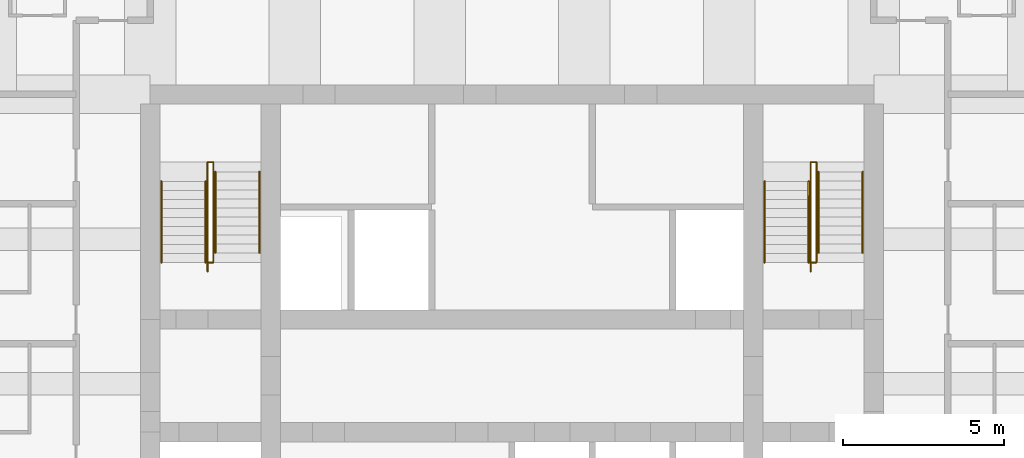
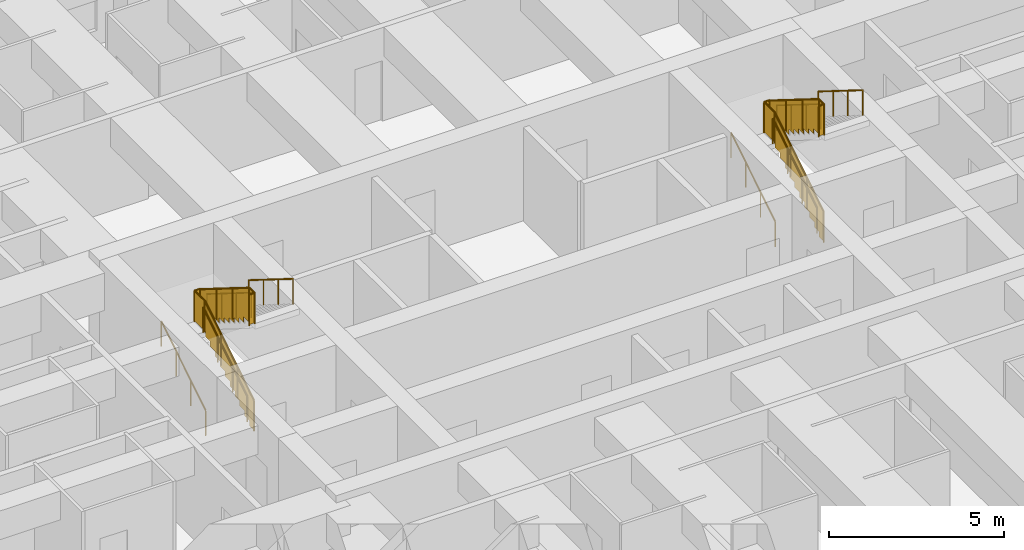
# One storey, part 8 of 8: 12 railings.
"""IFC4 building model written with IfcOpenShell, lengths in metres."""

from ifc_helpers import new_model, si_unit, direction, frame, origin, origin_2d, place, context, subcontext, project, spatial, polyline, circle, outline, extrude, material, type_object, element, save


model = new_model("IFC4")

# Units and contexts
model_context = context("Model", 3, precision=1e-05, world=origin(), true_north=direction((0.0, 1.0)))
body_context = subcontext(model_context, "Body", "Model", "MODEL_VIEW")
ifc_project = project(units=[si_unit("LENGTHUNIT", "METRE"), si_unit("AREAUNIT", "SQUARE_METRE"), si_unit("VOLUMEUNIT", "CUBIC_METRE"), si_unit("PLANEANGLEUNIT", "RADIAN"), si_unit("MASSUNIT", "GRAM", prefix="KILO")], contexts=[model_context])

# Site, building, storey
site_placement = place(None, origin())
site = spatial("IfcSite", under=ifc_project, at=site_placement, CompositionType="ELEMENT")
building_placement = place(site_placement, origin())
building = spatial("IfcBuilding", under=site, at=building_placement, Name="Kilele Tower Hotel", CompositionType="ELEMENT")
storey_placement = place(building_placement, frame((0.0, 0.0, 100.39990234375)))
storey = spatial("IfcBuildingStorey", under=building, at=storey_placement, Name="L25", CompositionType="ELEMENT", Elevation=100.39990234375)

# Railings
ifc_material_1 = material(Name="Steel handrail", Category="steel")
railing_type_1 = type_object("IfcRailingType", Name="Handrail 900", PredefinedType="HANDRAIL", material=ifc_material_1)
for number, where, name in (
    (1, (13.85009765625, 21.77490234375, 0.175048828125), "Handrail ST1 flight 1"),
    (2, (15.22509765625, 21.77490234375, 0.175048828125), "Handrail ST1 flight 1"),
):
    element("IfcRailing", number, at=place(storey_placement, frame(where)), inside=storey, type_object=railing_type_1, Name=name, PredefinedType="HANDRAIL", context=body_context, shape_type="SweptSolid", body=[
        extrude(circle(Radius=0.02490234375, at=origin_2d()), frame((0.0, 0.0, 0.875), z_axis=(0.0, 0.848007534815, 0.529984170421), x_axis=(-1.0, 0.0, 0.0)), (0.0, 0.0, 1.0), 2.9716796875),
        extrude(circle(Radius=0.02001953125, at=origin_2d()), origin(), (0.0, 0.0, 1.0), 0.849853515625),
        extrude(circle(Radius=0.02001953125, at=origin_2d()), frame((0.0, 0.840087890625, 0.52490234375)), (0.0, 0.0, 1.0), 0.849853515625),
        extrude(circle(Radius=0.02001953125, at=origin_2d()), frame((0.0, 1.679931640625, 1.050048828125)), (0.0, 0.0, 1.0), 0.849853515625),
        extrude(circle(Radius=0.02001953125, at=origin_2d()), frame((0.0, 2.52001953125, 1.574951171875)), (0.0, 0.0, 1.0), 0.849853515625),
    ])
for number, where, name in (
    (3, (15.52490234375, 24.594970703125, 1.925048828125), "Handrail ST1 flight 2"),
    (4, (16.89990234375, 24.594970703125, 1.925048828125), "Handrail ST1 flight 2"),
):
    element("IfcRailing", number, at=place(storey_placement, frame(where)), inside=storey, type_object=railing_type_1, Name=name, PredefinedType="HANDRAIL", context=body_context, shape_type="SweptSolid", body=[
        extrude(circle(Radius=0.02490234375, at=origin_2d()), frame((0.0, 0.0, 0.875), z_axis=(0.0, -0.848007534815, 0.529984170421), x_axis=(1.0, 0.0, 0.0)), (0.0, 0.0, 1.0), 2.9716796875),
        extrude(circle(Radius=0.02001953125, at=origin_2d()), origin(), (0.0, 0.0, 1.0), 0.849853515625),
        extrude(circle(Radius=0.02001953125, at=origin_2d()), frame((0.0, -0.840087890625, 0.52490234375)), (0.0, 0.0, 1.0), 0.849853515625),
        extrude(circle(Radius=0.02001953125, at=origin_2d()), frame((0.0, -1.679931640625, 1.050048828125)), (0.0, 0.0, 1.0), 0.849853515625),
        extrude(circle(Radius=0.02001953125, at=origin_2d()), frame((0.0, -2.52001953125, 1.574951171875)), (0.0, 0.0, 1.0), 0.849853515625),
    ])
for number, where, name in (
    (5, (32.60009765625, 21.77490234375, 0.175048828125), "Handrail ST2 flight 1"),
    (6, (33.97509765625, 21.77490234375, 0.175048828125), "Handrail ST2 flight 1"),
):
    element("IfcRailing", number, at=place(storey_placement, frame(where)), inside=storey, type_object=railing_type_1, Name=name, PredefinedType="HANDRAIL", context=body_context, shape_type="SweptSolid", body=[
        extrude(circle(Radius=0.02490234375, at=origin_2d()), frame((0.0, 0.0, 0.875), z_axis=(0.0, 0.848007534815, 0.529984170421), x_axis=(-1.0, 0.0, 0.0)), (0.0, 0.0, 1.0), 2.9716796875),
        extrude(circle(Radius=0.02001953125, at=origin_2d()), origin(), (0.0, 0.0, 1.0), 0.849853515625),
        extrude(circle(Radius=0.02001953125, at=origin_2d()), frame((0.0, 0.840087890625, 0.52490234375)), (0.0, 0.0, 1.0), 0.849853515625),
        extrude(circle(Radius=0.02001953125, at=origin_2d()), frame((0.0, 1.679931640625, 1.050048828125)), (0.0, 0.0, 1.0), 0.849853515625),
        extrude(circle(Radius=0.02001953125, at=origin_2d()), frame((0.0, 2.52001953125, 1.574951171875)), (0.0, 0.0, 1.0), 0.849853515625),
    ])
for number, where, name in (
    (7, (34.27490234375, 24.594970703125, 1.925048828125), "Handrail ST2 flight 2"),
    (8, (35.64990234375, 24.594970703125, 1.925048828125), "Handrail ST2 flight 2"),
):
    element("IfcRailing", number, at=place(storey_placement, frame(where)), inside=storey, type_object=railing_type_1, Name=name, PredefinedType="HANDRAIL", context=body_context, shape_type="SweptSolid", body=[
        extrude(circle(Radius=0.02490234375, at=origin_2d()), frame((0.0, 0.0, 0.875), z_axis=(0.0, -0.848007534815, 0.529984170421), x_axis=(1.0, 0.0, 0.0)), (0.0, 0.0, 1.0), 2.9716796875),
        extrude(circle(Radius=0.02001953125, at=origin_2d()), origin(), (0.0, 0.0, 1.0), 0.849853515625),
        extrude(circle(Radius=0.02001953125, at=origin_2d()), frame((0.0, -0.840087890625, 0.52490234375)), (0.0, 0.0, 1.0), 0.849853515625),
        extrude(circle(Radius=0.02001953125, at=origin_2d()), frame((0.0, -1.679931640625, 1.050048828125)), (0.0, 0.0, 1.0), 0.849853515625),
        extrude(circle(Radius=0.02001953125, at=origin_2d()), frame((0.0, -2.52001953125, 1.574951171875)), (0.0, 0.0, 1.0), 0.849853515625),
    ])
ifc_material_2 = material(Name="Steel guard", Category="steel")
railing_type_2 = type_object("IfcRailingType", Name="Stair guard 1100", PredefinedType="GUARDRAIL", material=ifc_material_2)
railing_1_placement = place(storey_placement, frame((15.284912109375, 21.4951171875, 0.0)))
element("IfcRailing", 9, at=railing_1_placement, inside=storey, type_object=railing_type_2, Name="Stair well guard ST1 flight 1", PredefinedType="GUARDRAIL", context=body_context, shape_type="SweptSolid", body=[
    extrude(circle(Radius=0.02490234375, at=origin_2d()), frame((0.0, 0.0, 1.0751953125), z_axis=(0.0, 0.847981687118, 0.530025526095), x_axis=(-1.0, 0.0, 0.0)), (0.0, 0.0, 1.0), 3.3017578125),
    extrude(circle(Radius=0.02490234375, at=origin_2d()), frame((0.0, 2.7998046875, 2.8251953125), z_axis=(0.0, 1.0, 0.0), x_axis=(-1.0, 0.0, 0.0)), (0.0, 0.0, 1.0), 0.60009765625),
    extrude(circle(Radius=0.02490234375, at=origin_2d()), frame((0.0, 3.39990234375, 2.8251953125), z_axis=(1.0, 0.0, 0.0), x_axis=(0.0, 1.0, 0.0)), (0.0, 0.0, 1.0), 0.18017578125),
    extrude(circle(Radius=0.02490234375, at=origin_2d()), origin(), (0.0, 0.0, 1.0), 1.050048828125),
    extrude(circle(Radius=0.02490234375, at=origin_2d()), frame((0.0, 0.933349609375, 0.583251953125)), (0.0, 0.0, 1.0), 1.050048828125),
    extrude(circle(Radius=0.02490234375, at=origin_2d()), frame((0.0, 1.866455078125, 1.166748046875)), (0.0, 0.0, 1.0), 1.050048828125),
    extrude(circle(Radius=0.02490234375, at=origin_2d()), frame((0.0, 2.7998046875, 1.75)), (0.0, 0.0, 1.0), 1.050048828125),
    extrude(circle(Radius=0.02490234375, at=origin_2d()), frame((0.0, 3.39990234375, 1.75)), (0.0, 0.0, 1.0), 1.050048828125),
    extrude(circle(Radius=0.02490234375, at=origin_2d()), frame((0.18017578125, 3.39990234375, 1.75)), (0.0, 0.0, 1.0), 1.050048828125),
    extrude(outline(polyline([(0.012451171875, 0.030029296875), (0.25, 0.030029296875), (0.25, 0.205078125), (0.530029296875, 0.205078125), (0.530029296875, 0.380126953125), (0.809814453125, 0.380126953125), (0.809814453125, 0.554931640625), (1.08984375, 0.554931640625), (1.08984375, 0.72998046875), (1.369873046875, 0.72998046875), (1.369873046875, 0.905029296875), (1.64990234375, 0.905029296875), (1.64990234375, 1.080078125), (1.929931640625, 1.080078125), (1.929931640625, 1.255126953125), (2.209716796875, 1.255126953125), (2.209716796875, 1.429931640625), (2.48974609375, 1.429931640625), (2.48974609375, 1.60498046875), (2.769775390625, 1.60498046875), (2.769775390625, 1.780029296875), (2.787353515625, 1.780029296875), (2.787353515625, 2.787841796875), (0.012451171875, 1.053466796875), (0.012451171875, 0.030029296875)])), frame((-0.005859375, 0.0, 0.0), z_axis=(1.0, 0.0, 0.0), x_axis=(0.0, 1.0, 0.0)), (0.0, 0.0, 1.0), 0.011962890625),
    extrude(outline(polyline([(0.012451171875, 0.030029296875), (0.587646484375, 0.030029296875), (0.587646484375, 1.050048828125), (0.012451171875, 1.050048828125), (0.012451171875, 0.030029296875)])), frame((-0.005859375, 2.7998046875, 1.75), z_axis=(1.0, 0.0, 0.0), x_axis=(0.0, 1.0, 0.0)), (0.0, 0.0, 1.0), 0.011962890625),
    extrude(outline(polyline([(0.012451171875, 0.030029296875), (0.18017578125, 0.030029296875), (0.18017578125, 1.050048828125), (0.012451171875, 1.050048828125), (0.012451171875, 0.030029296875)])), frame((0.0, 3.40576171875, 1.75), z_axis=(0.0, -1.0, 0.0), x_axis=(1.0, 0.0, 0.0)), (0.0, 0.0, 1.0), 0.011962890625),
])
railing_2_placement = place(storey_placement, frame((15.465087890625, 24.89501953125, 1.75)))
element("IfcRailing", 10, at=railing_2_placement, inside=storey, type_object=railing_type_2, Name="Stair well guard ST1 flight 2", PredefinedType="GUARDRAIL", context=body_context, shape_type="SweptSolid", body=[
    extrude(circle(Radius=0.02490234375, at=origin_2d()), frame((0.0, 0.0, 1.0751953125), z_axis=(0.0, -1.0, 0.0), x_axis=(1.0, 0.0, 0.0)), (0.0, 0.0, 1.0), 0.02001953125),
    extrude(circle(Radius=0.02490234375, at=origin_2d()), frame((0.0, -0.02001953125, 1.0751953125), z_axis=(0.0, -0.848002457836, 0.529992293815), x_axis=(1.0, 0.0, 0.0)), (0.0, 0.0, 1.0), 3.302001953125),
    extrude(circle(Radius=0.02490234375, at=origin_2d()), frame((0.0, -2.820068359375, 2.8251953125), z_axis=(0.0, -1.0, 0.0), x_axis=(1.0, 0.0, 0.0)), (0.0, 0.0, 1.0), 0.300048828125),
    extrude(circle(Radius=0.02490234375, at=origin_2d()), frame((0.0, -3.1201171875, 2.8251953125), z_axis=(-1.0, 0.0, 0.0), x_axis=(0.0, -1.0, 0.0)), (0.0, 0.0, 1.0), 0.18017578125),
    extrude(circle(Radius=0.02490234375, at=origin_2d()), origin(), (0.0, 0.0, 1.0), 1.050048828125),
    extrude(circle(Radius=0.02490234375, at=origin_2d()), frame((0.0, -0.02001953125, 0.0)), (0.0, 0.0, 1.0), 1.050048828125),
    extrude(circle(Radius=0.02490234375, at=origin_2d()), frame((0.0, -0.953369140625, 0.583251953125)), (0.0, 0.0, 1.0), 1.050048828125),
    extrude(circle(Radius=0.02490234375, at=origin_2d()), frame((0.0, -1.88671875, 1.166748046875)), (0.0, 0.0, 1.0), 1.050048828125),
    extrude(circle(Radius=0.02490234375, at=origin_2d()), frame((0.0, -2.820068359375, 1.75)), (0.0, 0.0, 1.0), 1.050048828125),
    extrude(circle(Radius=0.02490234375, at=origin_2d()), frame((0.0, -3.1201171875, 1.75)), (0.0, 0.0, 1.0), 1.050048828125),
    extrude(circle(Radius=0.02490234375, at=origin_2d()), frame((-0.18017578125, -3.1201171875, 1.75)), (0.0, 0.0, 1.0), 1.050048828125),
    extrude(outline(polyline([(0.012451171875, 0.030029296875), (0.25, 0.030029296875), (0.25, 0.205078125), (0.530029296875, 0.205078125), (0.530029296875, 0.380126953125), (0.81005859375, 0.380126953125), (0.81005859375, 0.554931640625), (1.090087890625, 0.554931640625), (1.090087890625, 0.72998046875), (1.3701171875, 0.72998046875), (1.3701171875, 0.905029296875), (1.64990234375, 0.905029296875), (1.64990234375, 1.080078125), (1.929931640625, 1.080078125), (1.929931640625, 1.255126953125), (2.2099609375, 1.255126953125), (2.2099609375, 1.429931640625), (2.489990234375, 1.429931640625), (2.489990234375, 1.60498046875), (2.77001953125, 1.60498046875), (2.77001953125, 1.780029296875), (2.78759765625, 1.780029296875), (2.78759765625, 2.787841796875), (0.012451171875, 1.053466796875), (0.012451171875, 0.030029296875)])), frame((0.005859375, -0.02001953125, 0.0), z_axis=(-1.0, 0.0, 0.0), x_axis=(0.0, -1.0, 0.0)), (0.0, 0.0, 1.0), 0.011962890625),
    extrude(outline(polyline([(0.012451171875, 0.030029296875), (0.28759765625, 0.030029296875), (0.28759765625, 1.050048828125), (0.012451171875, 1.050048828125), (0.012451171875, 0.030029296875)])), frame((0.005859375, -2.820068359375, 1.75), z_axis=(-1.0, 0.0, 0.0), x_axis=(0.0, -1.0, 0.0)), (0.0, 0.0, 1.0), 0.011962890625),
    extrude(outline(polyline([(0.012451171875, 0.030029296875), (0.18017578125, 0.030029296875), (0.18017578125, 1.050048828125), (0.012451171875, 1.050048828125), (0.012451171875, 0.030029296875)])), frame((0.0, -3.1259765625, 1.75), z_axis=(0.0, 1.0, 0.0), x_axis=(-1.0, 0.0, 0.0)), (0.0, 0.0, 1.0), 0.011962890625),
])
railing_3_placement = place(storey_placement, frame((34.034912109375, 21.4951171875, 0.0)))
element("IfcRailing", 11, at=railing_3_placement, inside=storey, type_object=railing_type_2, Name="Stair well guard ST2 flight 1", PredefinedType="GUARDRAIL", context=body_context, shape_type="SweptSolid", body=[
    extrude(circle(Radius=0.02490234375, at=origin_2d()), frame((0.0, 0.0, 1.0751953125), z_axis=(0.0, 0.847981687118, 0.530025526095), x_axis=(-1.0, 0.0, 0.0)), (0.0, 0.0, 1.0), 3.3017578125),
    extrude(circle(Radius=0.02490234375, at=origin_2d()), frame((0.0, 2.7998046875, 2.8251953125), z_axis=(0.0, 1.0, 0.0), x_axis=(-1.0, 0.0, 0.0)), (0.0, 0.0, 1.0), 0.60009765625),
    extrude(circle(Radius=0.02490234375, at=origin_2d()), frame((0.0, 3.39990234375, 2.8251953125), z_axis=(1.0, 0.0, 0.0), x_axis=(0.0, 1.0, 0.0)), (0.0, 0.0, 1.0), 0.18017578125),
    extrude(circle(Radius=0.02490234375, at=origin_2d()), origin(), (0.0, 0.0, 1.0), 1.050048828125),
    extrude(circle(Radius=0.02490234375, at=origin_2d()), frame((0.0, 0.933349609375, 0.583251953125)), (0.0, 0.0, 1.0), 1.050048828125),
    extrude(circle(Radius=0.02490234375, at=origin_2d()), frame((0.0, 1.866455078125, 1.166748046875)), (0.0, 0.0, 1.0), 1.050048828125),
    extrude(circle(Radius=0.02490234375, at=origin_2d()), frame((0.0, 2.7998046875, 1.75)), (0.0, 0.0, 1.0), 1.050048828125),
    extrude(circle(Radius=0.02490234375, at=origin_2d()), frame((0.0, 3.39990234375, 1.75)), (0.0, 0.0, 1.0), 1.050048828125),
    extrude(circle(Radius=0.02490234375, at=origin_2d()), frame((0.18017578125, 3.39990234375, 1.75)), (0.0, 0.0, 1.0), 1.050048828125),
    extrude(outline(polyline([(0.012451171875, 0.030029296875), (0.25, 0.030029296875), (0.25, 0.205078125), (0.530029296875, 0.205078125), (0.530029296875, 0.380126953125), (0.809814453125, 0.380126953125), (0.809814453125, 0.554931640625), (1.08984375, 0.554931640625), (1.08984375, 0.72998046875), (1.369873046875, 0.72998046875), (1.369873046875, 0.905029296875), (1.64990234375, 0.905029296875), (1.64990234375, 1.080078125), (1.929931640625, 1.080078125), (1.929931640625, 1.255126953125), (2.209716796875, 1.255126953125), (2.209716796875, 1.429931640625), (2.48974609375, 1.429931640625), (2.48974609375, 1.60498046875), (2.769775390625, 1.60498046875), (2.769775390625, 1.780029296875), (2.787353515625, 1.780029296875), (2.787353515625, 2.787841796875), (0.012451171875, 1.053466796875), (0.012451171875, 0.030029296875)])), frame((-0.005859375, 0.0, 0.0), z_axis=(1.0, 0.0, 0.0), x_axis=(0.0, 1.0, 0.0)), (0.0, 0.0, 1.0), 0.011962890625),
    extrude(outline(polyline([(0.012451171875, 0.030029296875), (0.587646484375, 0.030029296875), (0.587646484375, 1.050048828125), (0.012451171875, 1.050048828125), (0.012451171875, 0.030029296875)])), frame((-0.005859375, 2.7998046875, 1.75), z_axis=(1.0, 0.0, 0.0), x_axis=(0.0, 1.0, 0.0)), (0.0, 0.0, 1.0), 0.011962890625),
    extrude(outline(polyline([(0.012451171875, 0.030029296875), (0.18017578125, 0.030029296875), (0.18017578125, 1.050048828125), (0.012451171875, 1.050048828125), (0.012451171875, 0.030029296875)])), frame((0.0, 3.40576171875, 1.75), z_axis=(0.0, -1.0, 0.0), x_axis=(1.0, 0.0, 0.0)), (0.0, 0.0, 1.0), 0.011962890625),
])
railing_4_placement = place(storey_placement, frame((34.215087890625, 24.89501953125, 1.75)))
element("IfcRailing", 12, at=railing_4_placement, inside=storey, type_object=railing_type_2, Name="Stair well guard ST2 flight 2", PredefinedType="GUARDRAIL", context=body_context, shape_type="SweptSolid", body=[
    extrude(circle(Radius=0.02490234375, at=origin_2d()), frame((0.0, 0.0, 1.0751953125), z_axis=(0.0, -1.0, 0.0), x_axis=(1.0, 0.0, 0.0)), (0.0, 0.0, 1.0), 0.02001953125),
    extrude(circle(Radius=0.02490234375, at=origin_2d()), frame((0.0, -0.02001953125, 1.0751953125), z_axis=(0.0, -0.848002457836, 0.529992293815), x_axis=(1.0, 0.0, 0.0)), (0.0, 0.0, 1.0), 3.302001953125),
    extrude(circle(Radius=0.02490234375, at=origin_2d()), frame((0.0, -2.820068359375, 2.8251953125), z_axis=(0.0, -1.0, 0.0), x_axis=(1.0, 0.0, 0.0)), (0.0, 0.0, 1.0), 0.300048828125),
    extrude(circle(Radius=0.02490234375, at=origin_2d()), frame((0.0, -3.1201171875, 2.8251953125), z_axis=(-1.0, 0.0, 0.0), x_axis=(0.0, -1.0, 0.0)), (0.0, 0.0, 1.0), 0.18017578125),
    extrude(circle(Radius=0.02490234375, at=origin_2d()), origin(), (0.0, 0.0, 1.0), 1.050048828125),
    extrude(circle(Radius=0.02490234375, at=origin_2d()), frame((0.0, -0.02001953125, 0.0)), (0.0, 0.0, 1.0), 1.050048828125),
    extrude(circle(Radius=0.02490234375, at=origin_2d()), frame((0.0, -0.953369140625, 0.583251953125)), (0.0, 0.0, 1.0), 1.050048828125),
    extrude(circle(Radius=0.02490234375, at=origin_2d()), frame((0.0, -1.88671875, 1.166748046875)), (0.0, 0.0, 1.0), 1.050048828125),
    extrude(circle(Radius=0.02490234375, at=origin_2d()), frame((0.0, -2.820068359375, 1.75)), (0.0, 0.0, 1.0), 1.050048828125),
    extrude(circle(Radius=0.02490234375, at=origin_2d()), frame((0.0, -3.1201171875, 1.75)), (0.0, 0.0, 1.0), 1.050048828125),
    extrude(circle(Radius=0.02490234375, at=origin_2d()), frame((-0.18017578125, -3.1201171875, 1.75)), (0.0, 0.0, 1.0), 1.050048828125),
    extrude(outline(polyline([(0.012451171875, 0.030029296875), (0.25, 0.030029296875), (0.25, 0.205078125), (0.530029296875, 0.205078125), (0.530029296875, 0.380126953125), (0.81005859375, 0.380126953125), (0.81005859375, 0.554931640625), (1.090087890625, 0.554931640625), (1.090087890625, 0.72998046875), (1.3701171875, 0.72998046875), (1.3701171875, 0.905029296875), (1.64990234375, 0.905029296875), (1.64990234375, 1.080078125), (1.929931640625, 1.080078125), (1.929931640625, 1.255126953125), (2.2099609375, 1.255126953125), (2.2099609375, 1.429931640625), (2.489990234375, 1.429931640625), (2.489990234375, 1.60498046875), (2.77001953125, 1.60498046875), (2.77001953125, 1.780029296875), (2.78759765625, 1.780029296875), (2.78759765625, 2.787841796875), (0.012451171875, 1.053466796875), (0.012451171875, 0.030029296875)])), frame((0.005859375, -0.02001953125, 0.0), z_axis=(-1.0, 0.0, 0.0), x_axis=(0.0, -1.0, 0.0)), (0.0, 0.0, 1.0), 0.011962890625),
    extrude(outline(polyline([(0.012451171875, 0.030029296875), (0.28759765625, 0.030029296875), (0.28759765625, 1.050048828125), (0.012451171875, 1.050048828125), (0.012451171875, 0.030029296875)])), frame((0.005859375, -2.820068359375, 1.75), z_axis=(-1.0, 0.0, 0.0), x_axis=(0.0, -1.0, 0.0)), (0.0, 0.0, 1.0), 0.011962890625),
    extrude(outline(polyline([(0.012451171875, 0.030029296875), (0.18017578125, 0.030029296875), (0.18017578125, 1.050048828125), (0.012451171875, 1.050048828125), (0.012451171875, 0.030029296875)])), frame((0.0, -3.1259765625, 1.75), z_axis=(0.0, 1.0, 0.0), x_axis=(-1.0, 0.0, 0.0)), (0.0, 0.0, 1.0), 0.011962890625),
])

save(model, "model.ifc")
